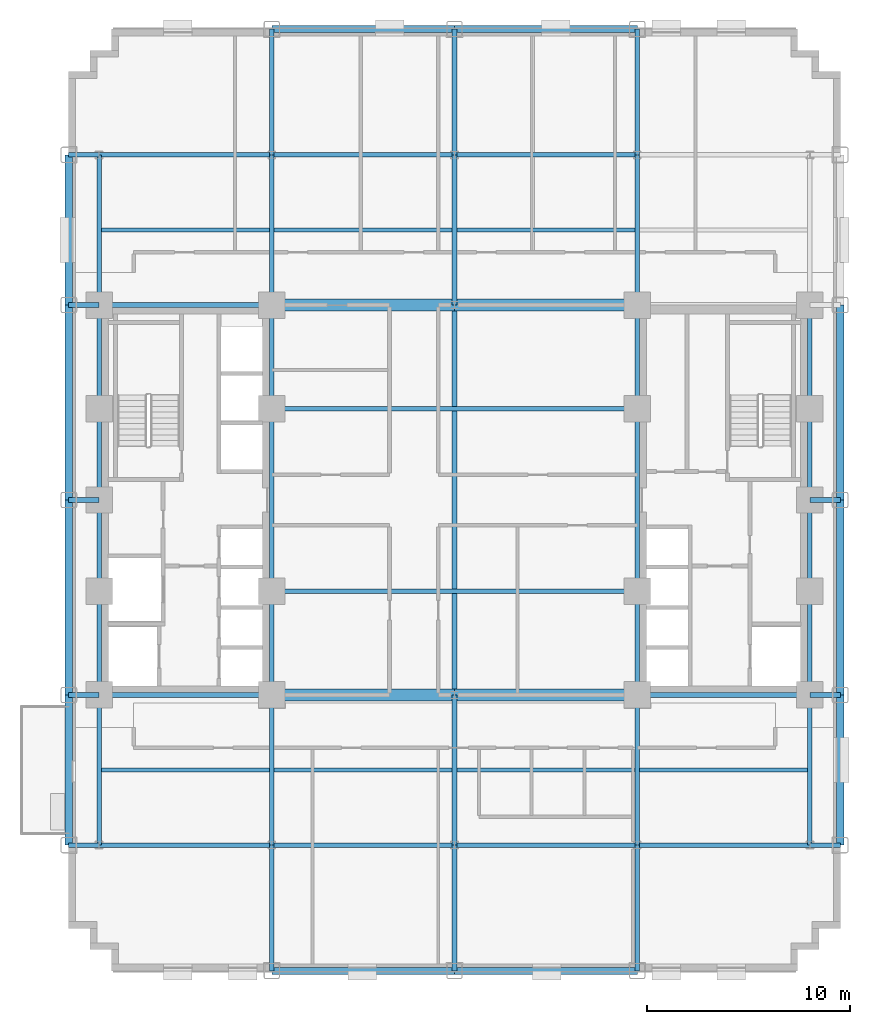
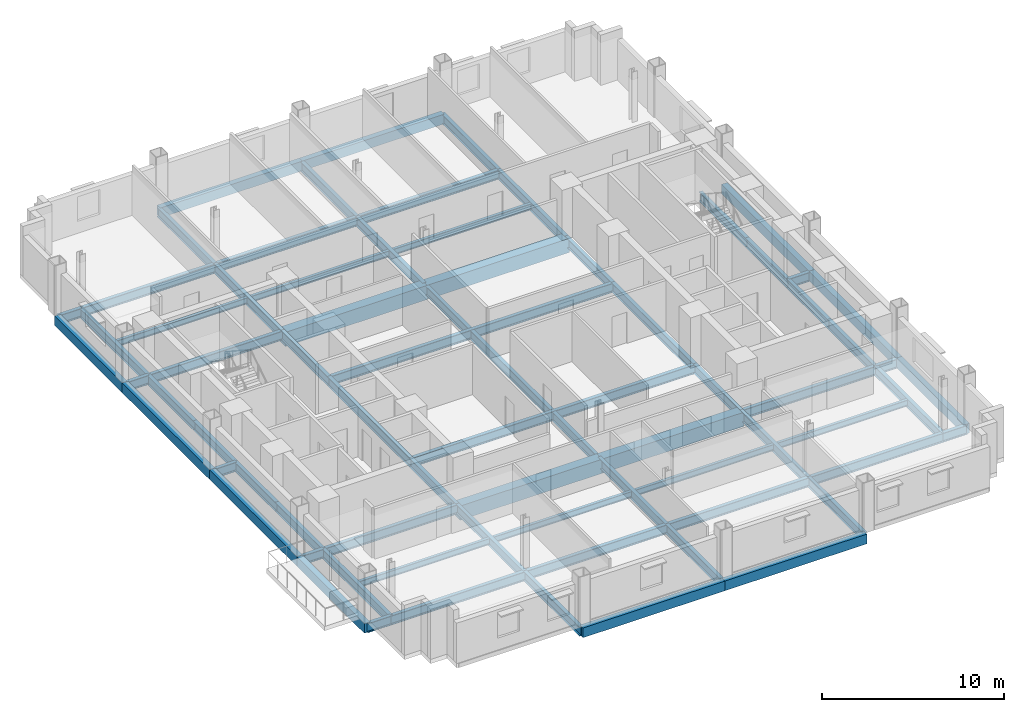
# One storey, part 3 of 12: 72 beams.
"""IFC4 building model written with IfcOpenShell, lengths in metres."""

import ifcopenshell
import ifcopenshell.guid

model = None  # the IFC model being written
_history = None  # IfcOwnerHistory: only IFC2X3 demands one
_inside = {}  # id of a spatial element -> (the spatial element, [elements in it])
_under = {}  # id of a project, library or spatial element -> (it, [spatial elements below it])
_declared = {}  # id of a project -> (the project, [libraries it declares])
_typed = {}  # id of a type object -> (the type object, [elements of that type])
_made_of = {}  # id of a material, layer set ... -> (it, [elements and type objects made of it])


def new_model(schema):
    """Start an empty IFC model of exactly this schema.

    Asked for "IFC4X3", IfcOpenShell would pick the latest addendum, in which some entities
    have other attributes; the version numbers below select the first issue.
    IFC2X3 requires an IfcOwnerHistory on every rooted entity: one is made here for all.
    """
    global model, _history
    if schema == "IFC4X3":
        model = ifcopenshell.file(schema_version=(4, 3, 0, 0))
    else:
        model = ifcopenshell.file(schema=schema)
    _inside.clear()
    _under.clear()
    _declared.clear()
    _typed.clear()
    _made_of.clear()
    _history = None
    if model.schema == "IFC2X3":
        org = make("IfcOrganization", Name="unknown")
        user = make(
            "IfcPersonAndOrganization",
            ThePerson=make("IfcPerson", FamilyName="unknown"),
            TheOrganization=org,
        )
        app = make(
            "IfcApplication",
            ApplicationDeveloper=org,
            Version="unknown",
            ApplicationFullName="unknown",
            ApplicationIdentifier="unknown",
        )
        _history = make(
            "IfcOwnerHistory",
            OwningUser=user,
            OwningApplication=app,
            ChangeAction="ADDED",
            CreationDate=0,
        )
    return model


def make(cls, **values):
    """One entity of the class cls with the attributes given. An attribute that is None is left unset."""
    return model.create_entity(
        cls, **{name: value for name, value in values.items() if value is not None}
    )


def rooted(cls, **values):
    """An entity with a GlobalId (a new one), such as an element, a storey or a relation."""
    return make(cls, GlobalId=ifcopenshell.guid.new(), OwnerHistory=_history, **values)


def si_unit(unit_type, name, prefix=None):
    """IfcSIUnit, for example si_unit("LENGTHUNIT", "METRE", prefix="MILLI")."""
    return make("IfcSIUnit", UnitType=unit_type, Prefix=prefix, Name=name)


def assignment(units):
    """IfcUnitAssignment: the units of a project."""
    return None if units is None else make("IfcUnitAssignment", Units=units)


def point(xyz):
    """IfcCartesianPoint."""
    return None if xyz is None else make("IfcCartesianPoint", Coordinates=xyz)


def direction(xyz):
    """IfcDirection."""
    return None if xyz is None else make("IfcDirection", DirectionRatios=xyz)


def frame(location, z_axis=None, x_axis=None):
    """IfcAxis2Placement3D, a coordinate frame: its origin and axes. An axis left out is left unset."""
    return make(
        "IfcAxis2Placement3D",
        Location=point(location),
        Axis=direction(z_axis),
        RefDirection=direction(x_axis),
    )


def frame_2d(location, x_axis=None):
    """IfcAxis2Placement2D, a coordinate frame in the plane: its origin and x axis."""
    return make(
        "IfcAxis2Placement2D", Location=point(location), RefDirection=direction(x_axis)
    )


def origin():
    """The frame at (0, 0, 0) with its axes left unset."""
    return frame((0.0, 0.0, 0.0))


def origin_2d():
    """The frame at (0, 0) in the plane with its x axis left unset."""
    return frame_2d((0.0, 0.0))


def place(relative_to, where):
    """IfcLocalPlacement: puts the frame where relative to a parent placement (None: the world)."""
    return make(
        "IfcLocalPlacement", PlacementRelTo=relative_to, RelativePlacement=where
    )


def context(
    kind, dimensions, precision=None, world=None, true_north=None, identifier=None
):
    """IfcGeometricRepresentationContext, for example the 3D "Model" context."""
    return make(
        "IfcGeometricRepresentationContext",
        ContextIdentifier=identifier,
        ContextType=kind,
        CoordinateSpaceDimension=dimensions,
        Precision=precision,
        WorldCoordinateSystem=world,
        TrueNorth=true_north,
    )


def subcontext(parent, identifier, kind, view, scale=None):
    """IfcGeometricRepresentationSubContext, for example "Body" below "Model"."""
    return make(
        "IfcGeometricRepresentationSubContext",
        ContextIdentifier=identifier,
        ContextType=kind,
        ParentContext=parent,
        TargetScale=scale,
        TargetView=view,
    )


def project(units=None, contexts=None):
    """IfcProject with its units and contexts."""
    return rooted(
        "IfcProject",
        Name="project",
        RepresentationContexts=contexts,
        UnitsInContext=assignment(units),
    )


def spatial(cls, under=None, at=None, **own):
    """A site, building, storey or space (cls), placed at a placement, below another one or the project."""
    s = rooted(cls, ObjectPlacement=at, **own)
    if under is not None:
        _under.setdefault(under.id(), (under, []))[1].append(s)
    return s


def profile(cls, at=None, kind="AREA", **sizes):
    """A parametric profile (cls). Its sizes go by their IFC names, for example OverallWidth=200.0."""
    return make(cls, ProfileType=kind, Position=at, **sizes)


def rectangle(**sizes):
    """IfcRectangleProfileDef."""
    return profile("IfcRectangleProfileDef", **sizes)


def i_section(**sizes):
    """IfcIShapeProfileDef."""
    return profile("IfcIShapeProfileDef", **sizes)


def extrude(swept, where, along, depth):
    """IfcExtrudedAreaSolid: the profile swept, set in the frame where, extruded along a direction by depth."""
    return make(
        "IfcExtrudedAreaSolid",
        SweptArea=swept,
        Position=where,
        ExtrudedDirection=direction(along),
        Depth=depth,
    )


def shape(context_of_items, identifier, shape_type, items):
    """IfcShapeRepresentation: the items that make up one representation, for example the "Body"."""
    return make(
        "IfcShapeRepresentation",
        ContextOfItems=context_of_items,
        RepresentationIdentifier=identifier,
        RepresentationType=shape_type,
        Items=items,
    )


def material(Name=None, Category=None):
    """IfcMaterial."""
    return make("IfcMaterial", Name=Name, Category=Category)


def material_profile(
    of_material, cross_section, Name=None, Category=None, Priority=None
):
    """IfcMaterialProfile: a cross section and its material."""
    return make(
        "IfcMaterialProfile",
        Name=Name,
        Material=of_material,
        Profile=cross_section,
        Priority=Priority,
        Category=Category,
    )


def profile_set(profiles, Name=None, composite=None):
    """IfcMaterialProfileSet."""
    return make(
        "IfcMaterialProfileSet",
        Name=Name,
        MaterialProfiles=profiles,
        CompositeProfile=composite,
    )


def made_of(thing, what):
    """Note that an element or type object is made of a material, layer set ...; save() writes the relation."""
    if what is not None:
        _made_of.setdefault(what.id(), (what, []))[1].append(thing)
    return thing


def type_object(cls, material=None, **own):
    """A type object (cls), such as IfcWallType, which elements share."""
    return made_of(rooted(cls, **own), material)


def element(
    cls,
    number,
    at=None,
    inside=None,
    cuts=None,
    type_object=None,
    material=None,
    context=None,
    identifier="Body",
    shape_type=None,
    held_by="IfcProductDefinitionShape",
    body=None,
    shapes=None,
    **own,
):
    """One element of the class cls, such as IfcWall. Its Tag is "e" and its number.

    at: its placement. inside: the storey or other place that contains it. cuts: it is an
    opening in that element (IfcRelVoidsElement). A single representation is given by context,
    identifier, shape_type and body (its items); several are given by shapes. held_by: the class
    of the entity that holds the representations. save() writes the other relations.
    """
    e = rooted(cls, Tag="e%d" % number, ObjectPlacement=at, **own)
    if body is not None:
        shapes = [shape(context, identifier, shape_type, body)]
    if shapes is not None:
        e.Representation = make(held_by, Representations=shapes)
    if inside is not None:
        _inside.setdefault(inside.id(), (inside, []))[1].append(e)
    if cuts is not None:
        rooted(
            "IfcRelVoidsElement", RelatingBuildingElement=cuts, RelatedOpeningElement=e
        )
    if type_object is not None:
        _typed.setdefault(type_object.id(), (type_object, []))[1].append(e)
    return made_of(e, material)


def aggregate(whole, parts):
    """IfcRelAggregates: a whole, such as a stair, and the parts it consists of."""
    return rooted("IfcRelAggregates", RelatingObject=whole, RelatedObjects=parts)


def save(model, path):
    """Write the relations noted so far, then the file.

    IfcRelAggregates (storeys below a building ...), IfcRelContainedInSpatialStructure (elements
    in a storey), IfcRelDefinesByType, IfcRelAssociatesMaterial and IfcRelDeclares: one each for
    every whole, place, type object, material and project.
    """
    for whole, parts in _under.values():
        aggregate(whole, parts)
    for where, things in _inside.values():
        rooted(
            "IfcRelContainedInSpatialStructure",
            RelatedElements=things,
            RelatingStructure=where,
        )
    for kind, things in _typed.values():
        rooted("IfcRelDefinesByType", RelatedObjects=things, RelatingType=kind)
    for what, things in _made_of.values():
        rooted("IfcRelAssociatesMaterial", RelatedObjects=things, RelatingMaterial=what)
    for by, libraries in _declared.values():
        rooted("IfcRelDeclares", RelatingContext=by, RelatedDefinitions=libraries)
    model.write(path)


model = new_model("IFC4")

# Units and contexts
model_context = context("Model", 3, precision=1e-05, world=origin(), true_north=direction((0.0, 1.0)))
body_context = subcontext(model_context, "Body", "Model", "MODEL_VIEW")
ifc_project = project(units=[si_unit("LENGTHUNIT", "METRE"), si_unit("AREAUNIT", "SQUARE_METRE"), si_unit("VOLUMEUNIT", "CUBIC_METRE"), si_unit("PLANEANGLEUNIT", "RADIAN"), si_unit("MASSUNIT", "GRAM", prefix="KILO")], contexts=[model_context])

# Site, building, storey
site_placement = place(None, origin())
site = spatial("IfcSite", under=ifc_project, at=site_placement, CompositionType="ELEMENT")
building_placement = place(site_placement, origin())
building = spatial("IfcBuilding", under=site, at=building_placement, Name="Nuvemarco Arch Tower", CompositionType="ELEMENT")
storey_placement = place(building_placement, frame((0.0, 0.0, 38.550048828125)))
storey = spatial("IfcBuildingStorey", under=building, at=storey_placement, Name="L09", CompositionType="ELEMENT", Elevation=38.550048828125)

# Beams
ifc_material_1 = material(Name="Concrete C60/75", Category="concrete")
ifc_material_profile_1 = material_profile(ifc_material_1, rectangle(XDim=0.60009765625, YDim=0.949951171875, at=origin_2d()), Name="RC-BM-600x950")
ifc_profile_set_1 = profile_set([ifc_material_profile_1], Name="Concrete C60/75")
beam_type_1 = type_object("IfcBeamType", Name="BM-COUP-RC", PredefinedType="LINTEL", material=ifc_profile_set_1)
for number, where, z_axis, x_axis, name in (
    (1, (-9.0, -9.60009765625, -0.755126953125), (1.0, 0.0, 0.0), (0.0, 1.0, 0.0), "L09 structural beam BGEW_L09_0_-9.6_-9.0"),
    (2, (0.0, -9.60009765625, -0.755126953125), (1.0, 0.0, 0.0), (0.0, 1.0, 0.0), "L09 structural beam BGEW_L09_0_-9.6_+0.0"),
    (3, (-9.0, 9.60009765625, -0.755126953125), (1.0, 0.0, 0.0), (0.0, 1.0, 0.0), "L09 structural beam BGEW_L09_0_+9.6_-9.0"),
    (4, (0.0, 9.60009765625, -0.755126953125), (1.0, 0.0, 0.0), (0.0, 1.0, 0.0), "L09 structural beam BGEW_L09_0_+9.6_+0.0"),
):
    element("IfcBeam", number, at=place(storey_placement, frame(where, z_axis=z_axis, x_axis=x_axis)), inside=storey, type_object=beam_type_1, Name=name, PredefinedType="LINTEL", context=body_context, shape_type="SweptSolid", body=[
        extrude(rectangle(XDim=0.60009765625, YDim=0.949951171875, at=origin_2d()), origin(), (0.0, 0.0, 1.0), 9.0),
    ])
ifc_material_2 = material(Name="Steel S355", Category="steel")
ifc_material_profile_2 = material_profile(ifc_material_2, i_section(OverallWidth=0.22998046875, OverallDepth=0.616943359375, WebThickness=0.01318359375, FlangeThickness=0.022216796875, FilletRadius=0.01611328125, at=origin_2d()), Name="W610x140")
ifc_profile_set_2 = profile_set([ifc_material_profile_2], Name="Steel S355")
beam_type_2 = type_object("IfcBeamType", Name="BM-GIRD-610", PredefinedType="BEAM", material=ifc_profile_set_2)
beam_1_placement = place(storey_placement, frame((-17.5, -17.0, -0.588623046875), z_axis=(0.0, 1.0, 0.0), x_axis=(-1.0, 0.0, 0.0)))
element("IfcBeam", 5, at=beam_1_placement, inside=storey, type_object=beam_type_2, Name="L09 structural beam BGNS_L09_0_-17.5_-17.0", PredefinedType="BEAM", context=body_context, shape_type="SweptSolid", body=[
    extrude(i_section(OverallWidth=0.22998046875, OverallDepth=0.616943359375, WebThickness=0.01318359375, FlangeThickness=0.022216796875, FilletRadius=0.01611328125, at=origin_2d()), origin(), (0.0, 0.0, 1.0), 7.39990234375),
])
beam_2_placement = place(storey_placement, frame((-17.5, -9.60009765625, -0.588623046875), z_axis=(0.0, 1.0, 0.0), x_axis=(-1.0, 0.0, 0.0)))
element("IfcBeam", 6, at=beam_2_placement, inside=storey, type_object=beam_type_2, Name="L09 structural beam BGNS_L09_0_-17.5_-9.6", PredefinedType="BEAM", context=body_context, shape_type="SweptSolid", body=[
    extrude(i_section(OverallWidth=0.22998046875, OverallDepth=0.616943359375, WebThickness=0.01318359375, FlangeThickness=0.022216796875, FilletRadius=0.01611328125, at=origin_2d()), origin(), (0.0, 0.0, 1.0), 5.10009765625),
])
for number, where, z_axis, x_axis, name in (
    (7, (-17.5, -4.5, -0.588623046875), (0.0, 1.0, 0.0), (-1.0, 0.0, 0.0), "L09 structural beam BGNS_L09_0_-17.5_-4.5"),
    (8, (-17.5, 0.0, -0.588623046875), (0.0, 1.0, 0.0), (-1.0, 0.0, 0.0), "L09 structural beam BGNS_L09_0_-17.5_+0.0"),
):
    element("IfcBeam", number, at=place(storey_placement, frame(where, z_axis=z_axis, x_axis=x_axis)), inside=storey, type_object=beam_type_2, Name=name, PredefinedType="BEAM", context=body_context, shape_type="SweptSolid", body=[
        extrude(i_section(OverallWidth=0.22998046875, OverallDepth=0.616943359375, WebThickness=0.01318359375, FlangeThickness=0.022216796875, FilletRadius=0.01611328125, at=origin_2d()), origin(), (0.0, 0.0, 1.0), 4.5),
    ])
beam_3_placement = place(storey_placement, frame((-17.5, 4.5, -0.588623046875), z_axis=(0.0, 1.0, 0.0), x_axis=(-1.0, 0.0, 0.0)))
element("IfcBeam", 9, at=beam_3_placement, inside=storey, type_object=beam_type_2, Name="L09 structural beam BGNS_L09_0_-17.5_+4.5", PredefinedType="BEAM", context=body_context, shape_type="SweptSolid", body=[
    extrude(i_section(OverallWidth=0.22998046875, OverallDepth=0.616943359375, WebThickness=0.01318359375, FlangeThickness=0.022216796875, FilletRadius=0.01611328125, at=origin_2d()), origin(), (0.0, 0.0, 1.0), 5.10009765625),
])
beam_4_placement = place(storey_placement, frame((-17.5, 9.60009765625, -0.588623046875), z_axis=(0.0, 1.0, 0.0), x_axis=(-1.0, 0.0, 0.0)))
element("IfcBeam", 10, at=beam_4_placement, inside=storey, type_object=beam_type_2, Name="L09 structural beam BGNS_L09_0_-17.5_+9.6", PredefinedType="BEAM", context=body_context, shape_type="SweptSolid", body=[
    extrude(i_section(OverallWidth=0.22998046875, OverallDepth=0.616943359375, WebThickness=0.01318359375, FlangeThickness=0.022216796875, FilletRadius=0.01611328125, at=origin_2d()), origin(), (0.0, 0.0, 1.0), 7.39990234375),
])
beam_5_placement = place(storey_placement, frame((-9.0, -23.199951171875, -0.588623046875), z_axis=(0.0, 1.0, 0.0), x_axis=(-1.0, 0.0, 0.0)))
element("IfcBeam", 11, at=beam_5_placement, inside=storey, type_object=beam_type_2, Name="L09 structural beam BGNS_L09_0_-9.0_-23.2", PredefinedType="BEAM", context=body_context, shape_type="SweptSolid", body=[
    extrude(i_section(OverallWidth=0.22998046875, OverallDepth=0.616943359375, WebThickness=0.01318359375, FlangeThickness=0.022216796875, FilletRadius=0.01611328125, at=origin_2d()), origin(), (0.0, 0.0, 1.0), 6.199951171875),
])
beam_6_placement = place(storey_placement, frame((-9.0, -17.0, -0.588623046875), z_axis=(0.0, 1.0, 0.0), x_axis=(-1.0, 0.0, 0.0)))
element("IfcBeam", 12, at=beam_6_placement, inside=storey, type_object=beam_type_2, Name="L09 structural beam BGNS_L09_0_-9.0_-17.0", PredefinedType="BEAM", context=body_context, shape_type="SweptSolid", body=[
    extrude(i_section(OverallWidth=0.22998046875, OverallDepth=0.616943359375, WebThickness=0.01318359375, FlangeThickness=0.022216796875, FilletRadius=0.01611328125, at=origin_2d()), origin(), (0.0, 0.0, 1.0), 7.39990234375),
])
beam_7_placement = place(storey_placement, frame((-9.0, -9.60009765625, -0.588623046875), z_axis=(0.0, 1.0, 0.0), x_axis=(-1.0, 0.0, 0.0)))
element("IfcBeam", 13, at=beam_7_placement, inside=storey, type_object=beam_type_2, Name="L09 structural beam BGNS_L09_0_-9.0_-9.6", PredefinedType="BEAM", context=body_context, shape_type="SweptSolid", body=[
    extrude(i_section(OverallWidth=0.22998046875, OverallDepth=0.616943359375, WebThickness=0.01318359375, FlangeThickness=0.022216796875, FilletRadius=0.01611328125, at=origin_2d()), origin(), (0.0, 0.0, 1.0), 5.10009765625),
])
beam_8_placement = place(storey_placement, frame((-9.0, -4.5, -0.588623046875), z_axis=(0.0, 1.0, 0.0), x_axis=(-1.0, 0.0, 0.0)))
element("IfcBeam", 14, at=beam_8_placement, inside=storey, type_object=beam_type_2, Name="L09 structural beam BGNS_L09_0_-9.0_-4.5", PredefinedType="BEAM", context=body_context, shape_type="SweptSolid", body=[
    extrude(i_section(OverallWidth=0.22998046875, OverallDepth=0.616943359375, WebThickness=0.01318359375, FlangeThickness=0.022216796875, FilletRadius=0.01611328125, at=origin_2d()), origin(), (0.0, 0.0, 1.0), 9.0),
])
beam_9_placement = place(storey_placement, frame((-9.0, 4.5, -0.588623046875), z_axis=(0.0, 1.0, 0.0), x_axis=(-1.0, 0.0, 0.0)))
element("IfcBeam", 15, at=beam_9_placement, inside=storey, type_object=beam_type_2, Name="L09 structural beam BGNS_L09_0_-9.0_+4.5", PredefinedType="BEAM", context=body_context, shape_type="SweptSolid", body=[
    extrude(i_section(OverallWidth=0.22998046875, OverallDepth=0.616943359375, WebThickness=0.01318359375, FlangeThickness=0.022216796875, FilletRadius=0.01611328125, at=origin_2d()), origin(), (0.0, 0.0, 1.0), 5.10009765625),
])
beam_10_placement = place(storey_placement, frame((-9.0, 9.60009765625, -0.588623046875), z_axis=(0.0, 1.0, 0.0), x_axis=(-1.0, 0.0, 0.0)))
element("IfcBeam", 16, at=beam_10_placement, inside=storey, type_object=beam_type_2, Name="L09 structural beam BGNS_L09_0_-9.0_+9.6", PredefinedType="BEAM", context=body_context, shape_type="SweptSolid", body=[
    extrude(i_section(OverallWidth=0.22998046875, OverallDepth=0.616943359375, WebThickness=0.01318359375, FlangeThickness=0.022216796875, FilletRadius=0.01611328125, at=origin_2d()), origin(), (0.0, 0.0, 1.0), 7.39990234375),
])
for number, where, z_axis, x_axis, name in (
    (17, (-9.0, 17.0, -0.588623046875), (0.0, 1.0, 0.0), (-1.0, 0.0, 0.0), "L09 structural beam BGNS_L09_0_-9.0_+17.0"),
    (18, (0.0, -23.199951171875, -0.588623046875), (0.0, 1.0, 0.0), (-1.0, 0.0, 0.0), "L09 structural beam BGNS_L09_0_+0.0_-23.2"),
):
    element("IfcBeam", number, at=place(storey_placement, frame(where, z_axis=z_axis, x_axis=x_axis)), inside=storey, type_object=beam_type_2, Name=name, PredefinedType="BEAM", context=body_context, shape_type="SweptSolid", body=[
        extrude(i_section(OverallWidth=0.22998046875, OverallDepth=0.616943359375, WebThickness=0.01318359375, FlangeThickness=0.022216796875, FilletRadius=0.01611328125, at=origin_2d()), origin(), (0.0, 0.0, 1.0), 6.199951171875),
    ])
beam_11_placement = place(storey_placement, frame((0.0, -17.0, -0.588623046875), z_axis=(0.0, 1.0, 0.0), x_axis=(-1.0, 0.0, 0.0)))
element("IfcBeam", 19, at=beam_11_placement, inside=storey, type_object=beam_type_2, Name="L09 structural beam BGNS_L09_0_+0.0_-17.0", PredefinedType="BEAM", context=body_context, shape_type="SweptSolid", body=[
    extrude(i_section(OverallWidth=0.22998046875, OverallDepth=0.616943359375, WebThickness=0.01318359375, FlangeThickness=0.022216796875, FilletRadius=0.01611328125, at=origin_2d()), origin(), (0.0, 0.0, 1.0), 7.39990234375),
])
beam_12_placement = place(storey_placement, frame((0.0, -9.60009765625, -0.588623046875), z_axis=(0.0, 1.0, 0.0), x_axis=(-1.0, 0.0, 0.0)))
element("IfcBeam", 20, at=beam_12_placement, inside=storey, type_object=beam_type_2, Name="L09 structural beam BGNS_L09_0_+0.0_-9.6", PredefinedType="BEAM", context=body_context, shape_type="SweptSolid", body=[
    extrude(i_section(OverallWidth=0.22998046875, OverallDepth=0.616943359375, WebThickness=0.01318359375, FlangeThickness=0.022216796875, FilletRadius=0.01611328125, at=origin_2d()), origin(), (0.0, 0.0, 1.0), 19.2001953125),
])
beam_13_placement = place(storey_placement, frame((0.0, 9.60009765625, -0.588623046875), z_axis=(0.0, 1.0, 0.0), x_axis=(-1.0, 0.0, 0.0)))
element("IfcBeam", 21, at=beam_13_placement, inside=storey, type_object=beam_type_2, Name="L09 structural beam BGNS_L09_0_+0.0_+9.6", PredefinedType="BEAM", context=body_context, shape_type="SweptSolid", body=[
    extrude(i_section(OverallWidth=0.22998046875, OverallDepth=0.616943359375, WebThickness=0.01318359375, FlangeThickness=0.022216796875, FilletRadius=0.01611328125, at=origin_2d()), origin(), (0.0, 0.0, 1.0), 7.39990234375),
])
for number, where, z_axis, x_axis, name in (
    (22, (0.0, 17.0, -0.588623046875), (0.0, 1.0, 0.0), (-1.0, 0.0, 0.0), "L09 structural beam BGNS_L09_0_+0.0_+17.0"),
    (23, (9.0, -23.199951171875, -0.588623046875), (0.0, 1.0, 0.0), (-1.0, 0.0, 0.0), "L09 structural beam BGNS_L09_0_+9.0_-23.2"),
):
    element("IfcBeam", number, at=place(storey_placement, frame(where, z_axis=z_axis, x_axis=x_axis)), inside=storey, type_object=beam_type_2, Name=name, PredefinedType="BEAM", context=body_context, shape_type="SweptSolid", body=[
        extrude(i_section(OverallWidth=0.22998046875, OverallDepth=0.616943359375, WebThickness=0.01318359375, FlangeThickness=0.022216796875, FilletRadius=0.01611328125, at=origin_2d()), origin(), (0.0, 0.0, 1.0), 6.199951171875),
    ])
beam_14_placement = place(storey_placement, frame((9.0, -17.0, -0.588623046875), z_axis=(0.0, 1.0, 0.0), x_axis=(-1.0, 0.0, 0.0)))
element("IfcBeam", 24, at=beam_14_placement, inside=storey, type_object=beam_type_2, Name="L09 structural beam BGNS_L09_0_+9.0_-17.0", PredefinedType="BEAM", context=body_context, shape_type="SweptSolid", body=[
    extrude(i_section(OverallWidth=0.22998046875, OverallDepth=0.616943359375, WebThickness=0.01318359375, FlangeThickness=0.022216796875, FilletRadius=0.01611328125, at=origin_2d()), origin(), (0.0, 0.0, 1.0), 7.39990234375),
])
beam_15_placement = place(storey_placement, frame((9.0, -9.60009765625, -0.588623046875), z_axis=(0.0, 1.0, 0.0), x_axis=(-1.0, 0.0, 0.0)))
element("IfcBeam", 25, at=beam_15_placement, inside=storey, type_object=beam_type_2, Name="L09 structural beam BGNS_L09_0_+9.0_-9.6", PredefinedType="BEAM", context=body_context, shape_type="SweptSolid", body=[
    extrude(i_section(OverallWidth=0.22998046875, OverallDepth=0.616943359375, WebThickness=0.01318359375, FlangeThickness=0.022216796875, FilletRadius=0.01611328125, at=origin_2d()), origin(), (0.0, 0.0, 1.0), 5.10009765625),
])
beam_16_placement = place(storey_placement, frame((9.0, -4.5, -0.588623046875), z_axis=(0.0, 1.0, 0.0), x_axis=(-1.0, 0.0, 0.0)))
element("IfcBeam", 26, at=beam_16_placement, inside=storey, type_object=beam_type_2, Name="L09 structural beam BGNS_L09_0_+9.0_-4.5", PredefinedType="BEAM", context=body_context, shape_type="SweptSolid", body=[
    extrude(i_section(OverallWidth=0.22998046875, OverallDepth=0.616943359375, WebThickness=0.01318359375, FlangeThickness=0.022216796875, FilletRadius=0.01611328125, at=origin_2d()), origin(), (0.0, 0.0, 1.0), 9.0),
])
beam_17_placement = place(storey_placement, frame((9.0, 4.5, -0.588623046875), z_axis=(0.0, 1.0, 0.0), x_axis=(-1.0, 0.0, 0.0)))
element("IfcBeam", 27, at=beam_17_placement, inside=storey, type_object=beam_type_2, Name="L09 structural beam BGNS_L09_0_+9.0_+4.5", PredefinedType="BEAM", context=body_context, shape_type="SweptSolid", body=[
    extrude(i_section(OverallWidth=0.22998046875, OverallDepth=0.616943359375, WebThickness=0.01318359375, FlangeThickness=0.022216796875, FilletRadius=0.01611328125, at=origin_2d()), origin(), (0.0, 0.0, 1.0), 5.10009765625),
])
beam_18_placement = place(storey_placement, frame((9.0, 9.60009765625, -0.588623046875), z_axis=(0.0, 1.0, 0.0), x_axis=(-1.0, 0.0, 0.0)))
element("IfcBeam", 28, at=beam_18_placement, inside=storey, type_object=beam_type_2, Name="L09 structural beam BGNS_L09_0_+9.0_+9.6", PredefinedType="BEAM", context=body_context, shape_type="SweptSolid", body=[
    extrude(i_section(OverallWidth=0.22998046875, OverallDepth=0.616943359375, WebThickness=0.01318359375, FlangeThickness=0.022216796875, FilletRadius=0.01611328125, at=origin_2d()), origin(), (0.0, 0.0, 1.0), 7.39990234375),
])
beam_19_placement = place(storey_placement, frame((9.0, 17.0, -0.588623046875), z_axis=(0.0, 1.0, 0.0), x_axis=(-1.0, 0.0, 0.0)))
element("IfcBeam", 29, at=beam_19_placement, inside=storey, type_object=beam_type_2, Name="L09 structural beam BGNS_L09_0_+9.0_+17.0", PredefinedType="BEAM", context=body_context, shape_type="SweptSolid", body=[
    extrude(i_section(OverallWidth=0.22998046875, OverallDepth=0.616943359375, WebThickness=0.01318359375, FlangeThickness=0.022216796875, FilletRadius=0.01611328125, at=origin_2d()), origin(), (0.0, 0.0, 1.0), 6.199951171875),
])
beam_20_placement = place(storey_placement, frame((17.5, -17.0, -0.588623046875), z_axis=(0.0, 1.0, 0.0), x_axis=(-1.0, 0.0, 0.0)))
element("IfcBeam", 30, at=beam_20_placement, inside=storey, type_object=beam_type_2, Name="L09 structural beam BGNS_L09_0_+17.5_-17.0", PredefinedType="BEAM", context=body_context, shape_type="SweptSolid", body=[
    extrude(i_section(OverallWidth=0.22998046875, OverallDepth=0.616943359375, WebThickness=0.01318359375, FlangeThickness=0.022216796875, FilletRadius=0.01611328125, at=origin_2d()), origin(), (0.0, 0.0, 1.0), 7.39990234375),
])
beam_21_placement = place(storey_placement, frame((17.5, -9.60009765625, -0.588623046875), z_axis=(0.0, 1.0, 0.0), x_axis=(-1.0, 0.0, 0.0)))
element("IfcBeam", 31, at=beam_21_placement, inside=storey, type_object=beam_type_2, Name="L09 structural beam BGNS_L09_0_+17.5_-9.6", PredefinedType="BEAM", context=body_context, shape_type="SweptSolid", body=[
    extrude(i_section(OverallWidth=0.22998046875, OverallDepth=0.616943359375, WebThickness=0.01318359375, FlangeThickness=0.022216796875, FilletRadius=0.01611328125, at=origin_2d()), origin(), (0.0, 0.0, 1.0), 5.10009765625),
])
for number, where, z_axis, x_axis, name in (
    (32, (17.5, -4.5, -0.588623046875), (0.0, 1.0, 0.0), (-1.0, 0.0, 0.0), "L09 structural beam BGNS_L09_0_+17.5_-4.5"),
    (33, (17.5, 0.0, -0.588623046875), (0.0, 1.0, 0.0), (-1.0, 0.0, 0.0), "L09 structural beam BGNS_L09_0_+17.5_+0.0"),
):
    element("IfcBeam", number, at=place(storey_placement, frame(where, z_axis=z_axis, x_axis=x_axis)), inside=storey, type_object=beam_type_2, Name=name, PredefinedType="BEAM", context=body_context, shape_type="SweptSolid", body=[
        extrude(i_section(OverallWidth=0.22998046875, OverallDepth=0.616943359375, WebThickness=0.01318359375, FlangeThickness=0.022216796875, FilletRadius=0.01611328125, at=origin_2d()), origin(), (0.0, 0.0, 1.0), 4.5),
    ])
beam_22_placement = place(storey_placement, frame((17.5, 4.5, -0.588623046875), z_axis=(0.0, 1.0, 0.0), x_axis=(-1.0, 0.0, 0.0)))
element("IfcBeam", 34, at=beam_22_placement, inside=storey, type_object=beam_type_2, Name="L09 structural beam BGNS_L09_0_+17.5_+4.5", PredefinedType="BEAM", context=body_context, shape_type="SweptSolid", body=[
    extrude(i_section(OverallWidth=0.22998046875, OverallDepth=0.616943359375, WebThickness=0.01318359375, FlangeThickness=0.022216796875, FilletRadius=0.01611328125, at=origin_2d()), origin(), (0.0, 0.0, 1.0), 5.10009765625),
])
beam_23_placement = place(storey_placement, frame((-19.0, -17.0, -0.588623046875), z_axis=(1.0, 0.0, 0.0), x_axis=(0.0, 1.0, 0.0)))
element("IfcBeam", 35, at=beam_23_placement, inside=storey, type_object=beam_type_2, Name="L09 structural beam BGEW_L09_0_-17.0_-19.0", PredefinedType="BEAM", context=body_context, shape_type="SweptSolid", body=[
    extrude(i_section(OverallWidth=0.22998046875, OverallDepth=0.616943359375, WebThickness=0.01318359375, FlangeThickness=0.022216796875, FilletRadius=0.01611328125, at=origin_2d()), origin(), (0.0, 0.0, 1.0), 1.5),
])
beam_24_placement = place(storey_placement, frame((-17.5, -17.0, -0.588623046875), z_axis=(1.0, 0.0, 0.0), x_axis=(0.0, 1.0, 0.0)))
element("IfcBeam", 36, at=beam_24_placement, inside=storey, type_object=beam_type_2, Name="L09 structural beam BGEW_L09_0_-17.0_-17.5", PredefinedType="BEAM", context=body_context, shape_type="SweptSolid", body=[
    extrude(i_section(OverallWidth=0.22998046875, OverallDepth=0.616943359375, WebThickness=0.01318359375, FlangeThickness=0.022216796875, FilletRadius=0.01611328125, at=origin_2d()), origin(), (0.0, 0.0, 1.0), 8.5),
])
for number, where, z_axis, x_axis, name in (
    (37, (-9.0, -17.0, -0.588623046875), (1.0, 0.0, 0.0), (0.0, 1.0, 0.0), "L09 structural beam BGEW_L09_0_-17.0_-9.0"),
    (38, (0.0, -17.0, -0.588623046875), (1.0, 0.0, 0.0), (0.0, 1.0, 0.0), "L09 structural beam BGEW_L09_0_-17.0_+0.0"),
):
    element("IfcBeam", number, at=place(storey_placement, frame(where, z_axis=z_axis, x_axis=x_axis)), inside=storey, type_object=beam_type_2, Name=name, PredefinedType="BEAM", context=body_context, shape_type="SweptSolid", body=[
        extrude(i_section(OverallWidth=0.22998046875, OverallDepth=0.616943359375, WebThickness=0.01318359375, FlangeThickness=0.022216796875, FilletRadius=0.01611328125, at=origin_2d()), origin(), (0.0, 0.0, 1.0), 9.0),
    ])
beam_25_placement = place(storey_placement, frame((9.0, -17.0, -0.588623046875), z_axis=(1.0, 0.0, 0.0), x_axis=(0.0, 1.0, 0.0)))
element("IfcBeam", 39, at=beam_25_placement, inside=storey, type_object=beam_type_2, Name="L09 structural beam BGEW_L09_0_-17.0_+9.0", PredefinedType="BEAM", context=body_context, shape_type="SweptSolid", body=[
    extrude(i_section(OverallWidth=0.22998046875, OverallDepth=0.616943359375, WebThickness=0.01318359375, FlangeThickness=0.022216796875, FilletRadius=0.01611328125, at=origin_2d()), origin(), (0.0, 0.0, 1.0), 8.5),
])
for number, where, z_axis, x_axis, name in (
    (40, (17.5, -17.0, -0.588623046875), (1.0, 0.0, 0.0), (0.0, 1.0, 0.0), "L09 structural beam BGEW_L09_0_-17.0_+17.5"),
    (41, (-19.0, -9.60009765625, -0.588623046875), (1.0, 0.0, 0.0), (0.0, 1.0, 0.0), "L09 structural beam BGEW_L09_0_-9.6_-19.0"),
):
    element("IfcBeam", number, at=place(storey_placement, frame(where, z_axis=z_axis, x_axis=x_axis)), inside=storey, type_object=beam_type_2, Name=name, PredefinedType="BEAM", context=body_context, shape_type="SweptSolid", body=[
        extrude(i_section(OverallWidth=0.22998046875, OverallDepth=0.616943359375, WebThickness=0.01318359375, FlangeThickness=0.022216796875, FilletRadius=0.01611328125, at=origin_2d()), origin(), (0.0, 0.0, 1.0), 1.5),
    ])
for number, where, z_axis, x_axis, name in (
    (42, (-17.5, -9.60009765625, -0.588623046875), (1.0, 0.0, 0.0), (0.0, 1.0, 0.0), "L09 structural beam BGEW_L09_0_-9.6_-17.5"),
    (43, (9.0, -9.60009765625, -0.588623046875), (1.0, 0.0, 0.0), (0.0, 1.0, 0.0), "L09 structural beam BGEW_L09_0_-9.6_+9.0"),
):
    element("IfcBeam", number, at=place(storey_placement, frame(where, z_axis=z_axis, x_axis=x_axis)), inside=storey, type_object=beam_type_2, Name=name, PredefinedType="BEAM", context=body_context, shape_type="SweptSolid", body=[
        extrude(i_section(OverallWidth=0.22998046875, OverallDepth=0.616943359375, WebThickness=0.01318359375, FlangeThickness=0.022216796875, FilletRadius=0.01611328125, at=origin_2d()), origin(), (0.0, 0.0, 1.0), 8.5),
    ])
beam_26_placement = place(storey_placement, frame((17.5, -9.60009765625, -0.588623046875), z_axis=(1.0, 0.0, 0.0), x_axis=(0.0, 1.0, 0.0)))
element("IfcBeam", 44, at=beam_26_placement, inside=storey, type_object=beam_type_2, Name="L09 structural beam BGEW_L09_0_-9.6_+17.5", PredefinedType="BEAM", context=body_context, shape_type="SweptSolid", body=[
    extrude(i_section(OverallWidth=0.22998046875, OverallDepth=0.616943359375, WebThickness=0.01318359375, FlangeThickness=0.022216796875, FilletRadius=0.01611328125, at=origin_2d()), origin(), (0.0, 0.0, 1.0), 1.5),
])
beam_27_placement = place(storey_placement, frame((-9.0, -4.5, -0.588623046875), z_axis=(1.0, 0.0, 0.0), x_axis=(0.0, 1.0, 0.0)))
element("IfcBeam", 45, at=beam_27_placement, inside=storey, type_object=beam_type_2, Name="L09 structural beam BGEW_L09_0_-4.5_-9.0", PredefinedType="BEAM", context=body_context, shape_type="SweptSolid", body=[
    extrude(i_section(OverallWidth=0.22998046875, OverallDepth=0.616943359375, WebThickness=0.01318359375, FlangeThickness=0.022216796875, FilletRadius=0.01611328125, at=origin_2d()), origin(), (0.0, 0.0, 1.0), 18.0),
])
for number, where, z_axis, x_axis, name in (
    (46, (-19.0, 0.0, -0.588623046875), (1.0, 0.0, 0.0), (0.0, 1.0, 0.0), "L09 structural beam BGEW_L09_0_+0.0_-19.0"),
    (47, (17.5, 0.0, -0.588623046875), (1.0, 0.0, 0.0), (0.0, 1.0, 0.0), "L09 structural beam BGEW_L09_0_+0.0_+17.5"),
):
    element("IfcBeam", number, at=place(storey_placement, frame(where, z_axis=z_axis, x_axis=x_axis)), inside=storey, type_object=beam_type_2, Name=name, PredefinedType="BEAM", context=body_context, shape_type="SweptSolid", body=[
        extrude(i_section(OverallWidth=0.22998046875, OverallDepth=0.616943359375, WebThickness=0.01318359375, FlangeThickness=0.022216796875, FilletRadius=0.01611328125, at=origin_2d()), origin(), (0.0, 0.0, 1.0), 1.5),
    ])
beam_28_placement = place(storey_placement, frame((-9.0, 4.5, -0.588623046875), z_axis=(1.0, 0.0, 0.0), x_axis=(0.0, 1.0, 0.0)))
element("IfcBeam", 48, at=beam_28_placement, inside=storey, type_object=beam_type_2, Name="L09 structural beam BGEW_L09_0_+4.5_-9.0", PredefinedType="BEAM", context=body_context, shape_type="SweptSolid", body=[
    extrude(i_section(OverallWidth=0.22998046875, OverallDepth=0.616943359375, WebThickness=0.01318359375, FlangeThickness=0.022216796875, FilletRadius=0.01611328125, at=origin_2d()), origin(), (0.0, 0.0, 1.0), 18.0),
])
beam_29_placement = place(storey_placement, frame((-19.0, 9.60009765625, -0.588623046875), z_axis=(1.0, 0.0, 0.0), x_axis=(0.0, 1.0, 0.0)))
element("IfcBeam", 49, at=beam_29_placement, inside=storey, type_object=beam_type_2, Name="L09 structural beam BGEW_L09_0_+9.6_-19.0", PredefinedType="BEAM", context=body_context, shape_type="SweptSolid", body=[
    extrude(i_section(OverallWidth=0.22998046875, OverallDepth=0.616943359375, WebThickness=0.01318359375, FlangeThickness=0.022216796875, FilletRadius=0.01611328125, at=origin_2d()), origin(), (0.0, 0.0, 1.0), 1.5),
])
beam_30_placement = place(storey_placement, frame((-17.5, 9.60009765625, -0.588623046875), z_axis=(1.0, 0.0, 0.0), x_axis=(0.0, 1.0, 0.0)))
element("IfcBeam", 50, at=beam_30_placement, inside=storey, type_object=beam_type_2, Name="L09 structural beam BGEW_L09_0_+9.6_-17.5", PredefinedType="BEAM", context=body_context, shape_type="SweptSolid", body=[
    extrude(i_section(OverallWidth=0.22998046875, OverallDepth=0.616943359375, WebThickness=0.01318359375, FlangeThickness=0.022216796875, FilletRadius=0.01611328125, at=origin_2d()), origin(), (0.0, 0.0, 1.0), 8.5),
])
beam_31_placement = place(storey_placement, frame((-19.0, 17.0, -0.588623046875), z_axis=(1.0, 0.0, 0.0), x_axis=(0.0, 1.0, 0.0)))
element("IfcBeam", 51, at=beam_31_placement, inside=storey, type_object=beam_type_2, Name="L09 structural beam BGEW_L09_0_+17.0_-19.0", PredefinedType="BEAM", context=body_context, shape_type="SweptSolid", body=[
    extrude(i_section(OverallWidth=0.22998046875, OverallDepth=0.616943359375, WebThickness=0.01318359375, FlangeThickness=0.022216796875, FilletRadius=0.01611328125, at=origin_2d()), origin(), (0.0, 0.0, 1.0), 1.5),
])
beam_32_placement = place(storey_placement, frame((-17.5, 17.0, -0.588623046875), z_axis=(1.0, 0.0, 0.0), x_axis=(0.0, 1.0, 0.0)))
element("IfcBeam", 52, at=beam_32_placement, inside=storey, type_object=beam_type_2, Name="L09 structural beam BGEW_L09_0_+17.0_-17.5", PredefinedType="BEAM", context=body_context, shape_type="SweptSolid", body=[
    extrude(i_section(OverallWidth=0.22998046875, OverallDepth=0.616943359375, WebThickness=0.01318359375, FlangeThickness=0.022216796875, FilletRadius=0.01611328125, at=origin_2d()), origin(), (0.0, 0.0, 1.0), 8.5),
])
for number, where, z_axis, x_axis, name in (
    (53, (-9.0, 17.0, -0.588623046875), (1.0, 0.0, 0.0), (0.0, 1.0, 0.0), "L09 structural beam BGEW_L09_0_+17.0_-9.0"),
    (54, (0.0, 17.0, -0.588623046875), (1.0, 0.0, 0.0), (0.0, 1.0, 0.0), "L09 structural beam BGEW_L09_0_+17.0_+0.0"),
):
    element("IfcBeam", number, at=place(storey_placement, frame(where, z_axis=z_axis, x_axis=x_axis)), inside=storey, type_object=beam_type_2, Name=name, PredefinedType="BEAM", context=body_context, shape_type="SweptSolid", body=[
        extrude(i_section(OverallWidth=0.22998046875, OverallDepth=0.616943359375, WebThickness=0.01318359375, FlangeThickness=0.022216796875, FilletRadius=0.01611328125, at=origin_2d()), origin(), (0.0, 0.0, 1.0), 9.0),
    ])
ifc_material_profile_3 = material_profile(ifc_material_2, i_section(OverallWidth=0.179931640625, OverallDepth=0.4130859375, WebThickness=0.009765625, FlangeThickness=0.01611328125, FilletRadius=0.014892578125, at=origin_2d()), Name="W410x75")
ifc_profile_set_3 = profile_set([ifc_material_profile_3], Name="Steel S355")
beam_type_3 = type_object("IfcBeamType", Name="BM-JOIST-410", PredefinedType="JOIST", material=ifc_profile_set_3)
beam_33_placement = place(storey_placement, frame((-17.385009765625, -13.300048828125, -0.486572265625), z_axis=(1.0, 0.0, 0.0), x_axis=(0.0, 1.0, 0.0)))
element("IfcBeam", 55, at=beam_33_placement, inside=storey, type_object=beam_type_3, Name="L09 structural beam BJ_L09_0_-13.3_-17.5", PredefinedType="JOIST", context=body_context, shape_type="SweptSolid", body=[
    extrude(i_section(OverallWidth=0.179931640625, OverallDepth=0.4130859375, WebThickness=0.009765625, FlangeThickness=0.01611328125, FilletRadius=0.014892578125, at=origin_2d()), origin(), (0.0, 0.0, 1.0), 8.27001953125),
])
for number, where, z_axis, x_axis, name in (
    (56, (-8.885009765625, -13.300048828125, -0.486572265625), (1.0, 0.0, 0.0), (0.0, 1.0, 0.0), "L09 structural beam BJ_L09_0_-13.3_-9.0"),
    (57, (0.114990234375, -13.300048828125, -0.486572265625), (1.0, 0.0, 0.0), (0.0, 1.0, 0.0), "L09 structural beam BJ_L09_0_-13.3_+0.0"),
):
    element("IfcBeam", number, at=place(storey_placement, frame(where, z_axis=z_axis, x_axis=x_axis)), inside=storey, type_object=beam_type_3, Name=name, PredefinedType="JOIST", context=body_context, shape_type="SweptSolid", body=[
        extrude(i_section(OverallWidth=0.179931640625, OverallDepth=0.4130859375, WebThickness=0.009765625, FlangeThickness=0.01611328125, FilletRadius=0.014892578125, at=origin_2d()), origin(), (0.0, 0.0, 1.0), 8.77001953125),
    ])
for number, where, z_axis, x_axis, name in (
    (58, (9.114990234375, -13.300048828125, -0.486572265625), (1.0, 0.0, 0.0), (0.0, 1.0, 0.0), "L09 structural beam BJ_L09_0_-13.3_+9.0"),
    (59, (-17.385009765625, 13.300048828125, -0.486572265625), (1.0, 0.0, 0.0), (0.0, 1.0, 0.0), "L09 structural beam BJ_L09_0_+13.3_-17.5"),
):
    element("IfcBeam", number, at=place(storey_placement, frame(where, z_axis=z_axis, x_axis=x_axis)), inside=storey, type_object=beam_type_3, Name=name, PredefinedType="JOIST", context=body_context, shape_type="SweptSolid", body=[
        extrude(i_section(OverallWidth=0.179931640625, OverallDepth=0.4130859375, WebThickness=0.009765625, FlangeThickness=0.01611328125, FilletRadius=0.014892578125, at=origin_2d()), origin(), (0.0, 0.0, 1.0), 8.27001953125),
    ])
for number, where, z_axis, x_axis, name in (
    (60, (-8.885009765625, 13.300048828125, -0.486572265625), (1.0, 0.0, 0.0), (0.0, 1.0, 0.0), "L09 structural beam BJ_L09_0_+13.3_-9.0"),
    (61, (0.114990234375, 13.300048828125, -0.486572265625), (1.0, 0.0, 0.0), (0.0, 1.0, 0.0), "L09 structural beam BJ_L09_0_+13.3_+0.0"),
):
    element("IfcBeam", number, at=place(storey_placement, frame(where, z_axis=z_axis, x_axis=x_axis)), inside=storey, type_object=beam_type_3, Name=name, PredefinedType="JOIST", context=body_context, shape_type="SweptSolid", body=[
        extrude(i_section(OverallWidth=0.179931640625, OverallDepth=0.4130859375, WebThickness=0.009765625, FlangeThickness=0.01611328125, FilletRadius=0.014892578125, at=origin_2d()), origin(), (0.0, 0.0, 1.0), 8.77001953125),
    ])
ifc_material_3 = material(Name="Precast concrete C45/55", Category="concrete")
ifc_material_profile_4 = material_profile(ifc_material_3, rectangle(XDim=0.35009765625, YDim=0.64990234375, at=origin_2d()), Name="PC-SP-350x650")
ifc_profile_set_4 = profile_set([ifc_material_profile_4], Name="Precast concrete C45/55")
beam_type_4 = type_object("IfcBeamType", Name="BM-SPAN-RC", PredefinedType="SPANDREL", material=ifc_profile_set_4)
beam_34_placement = place(storey_placement, frame((-19.0, -17.0, -0.60498046875), z_axis=(0.0, 1.0, 0.0), x_axis=(-1.0, 0.0, 0.0)))
element("IfcBeam", 62, at=beam_34_placement, inside=storey, type_object=beam_type_4, Name="L09 structural beam BGNS_L09_0_-19.0_-17.0", PredefinedType="SPANDREL", context=body_context, shape_type="SweptSolid", body=[
    extrude(rectangle(XDim=0.35009765625, YDim=0.64990234375, at=origin_2d()), origin(), (0.0, 0.0, 1.0), 7.39990234375),
])
for number, where, z_axis, x_axis, name in (
    (63, (-19.0, -9.60009765625, -0.60498046875), (0.0, 1.0, 0.0), (-1.0, 0.0, 0.0), "L09 structural beam BGNS_L09_0_-19.0_-9.6"),
    (64, (-19.0, 0.0, -0.60498046875), (0.0, 1.0, 0.0), (-1.0, 0.0, 0.0), "L09 structural beam BGNS_L09_0_-19.0_+0.0"),
):
    element("IfcBeam", number, at=place(storey_placement, frame(where, z_axis=z_axis, x_axis=x_axis)), inside=storey, type_object=beam_type_4, Name=name, PredefinedType="SPANDREL", context=body_context, shape_type="SweptSolid", body=[
        extrude(rectangle(XDim=0.35009765625, YDim=0.64990234375, at=origin_2d()), origin(), (0.0, 0.0, 1.0), 9.60009765625),
    ])
for number, where, z_axis, x_axis, name in (
    (65, (-19.0, 9.60009765625, -0.60498046875), (0.0, 1.0, 0.0), (-1.0, 0.0, 0.0), "L09 structural beam BGNS_L09_0_-19.0_+9.6"),
    (66, (19.0, -17.0, -0.60498046875), (0.0, 1.0, 0.0), (-1.0, 0.0, 0.0), "L09 structural beam BGNS_L09_0_+19.0_-17.0"),
):
    element("IfcBeam", number, at=place(storey_placement, frame(where, z_axis=z_axis, x_axis=x_axis)), inside=storey, type_object=beam_type_4, Name=name, PredefinedType="SPANDREL", context=body_context, shape_type="SweptSolid", body=[
        extrude(rectangle(XDim=0.35009765625, YDim=0.64990234375, at=origin_2d()), origin(), (0.0, 0.0, 1.0), 7.39990234375),
    ])
for number, where, z_axis, x_axis, name in (
    (67, (19.0, -9.60009765625, -0.60498046875), (0.0, 1.0, 0.0), (-1.0, 0.0, 0.0), "L09 structural beam BGNS_L09_0_+19.0_-9.6"),
    (68, (19.0, 0.0, -0.60498046875), (0.0, 1.0, 0.0), (-1.0, 0.0, 0.0), "L09 structural beam BGNS_L09_0_+19.0_+0.0"),
):
    element("IfcBeam", number, at=place(storey_placement, frame(where, z_axis=z_axis, x_axis=x_axis)), inside=storey, type_object=beam_type_4, Name=name, PredefinedType="SPANDREL", context=body_context, shape_type="SweptSolid", body=[
        extrude(rectangle(XDim=0.35009765625, YDim=0.64990234375, at=origin_2d()), origin(), (0.0, 0.0, 1.0), 9.60009765625),
    ])
for number, where, z_axis, x_axis, name in (
    (69, (-9.0, -23.199951171875, -0.60498046875), (1.0, 0.0, 0.0), (0.0, 1.0, 0.0), "L09 structural beam BGEW_L09_0_-23.2_-9.0"),
    (70, (0.0, -23.199951171875, -0.60498046875), (1.0, 0.0, 0.0), (0.0, 1.0, 0.0), "L09 structural beam BGEW_L09_0_-23.2_+0.0"),
    (71, (-9.0, 23.199951171875, -0.60498046875), (1.0, 0.0, 0.0), (0.0, 1.0, 0.0), "L09 structural beam BGEW_L09_0_+23.2_-9.0"),
    (72, (0.0, 23.199951171875, -0.60498046875), (1.0, 0.0, 0.0), (0.0, 1.0, 0.0), "L09 structural beam BGEW_L09_0_+23.2_+0.0"),
):
    element("IfcBeam", number, at=place(storey_placement, frame(where, z_axis=z_axis, x_axis=x_axis)), inside=storey, type_object=beam_type_4, Name=name, PredefinedType="SPANDREL", context=body_context, shape_type="SweptSolid", body=[
        extrude(rectangle(XDim=0.35009765625, YDim=0.64990234375, at=origin_2d()), origin(), (0.0, 0.0, 1.0), 9.0),
    ])

save(model, "model.ifc")
